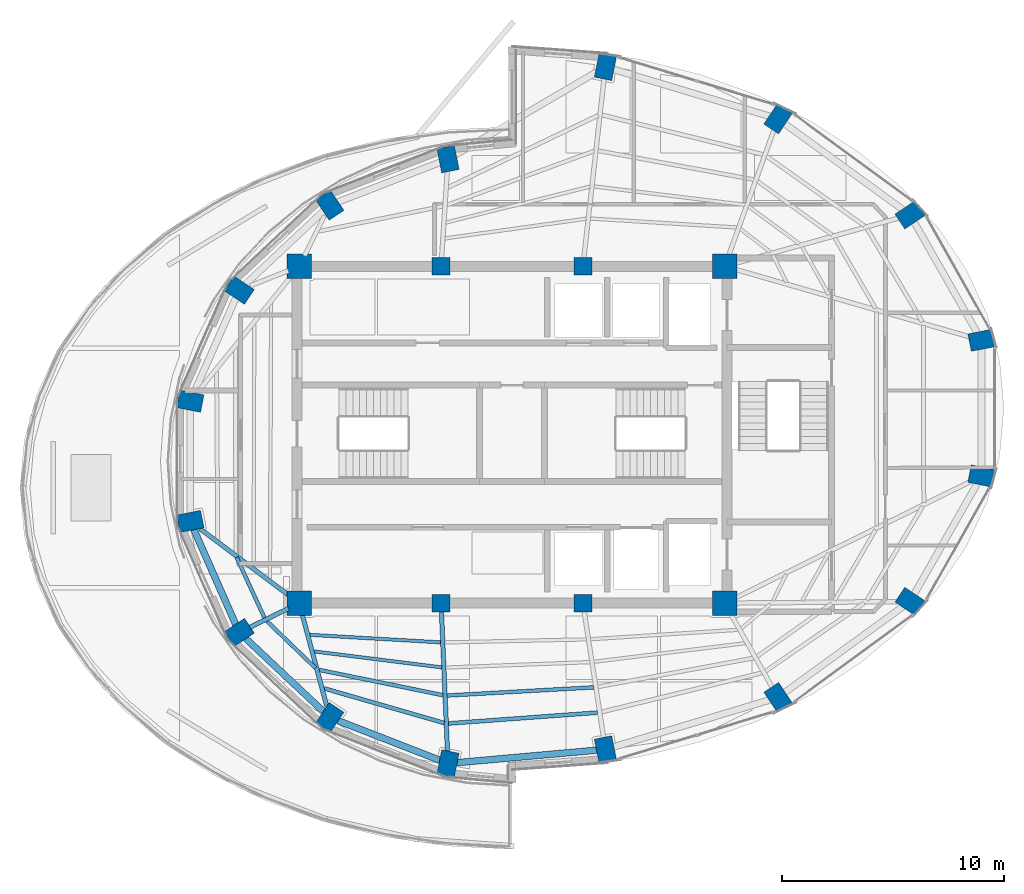
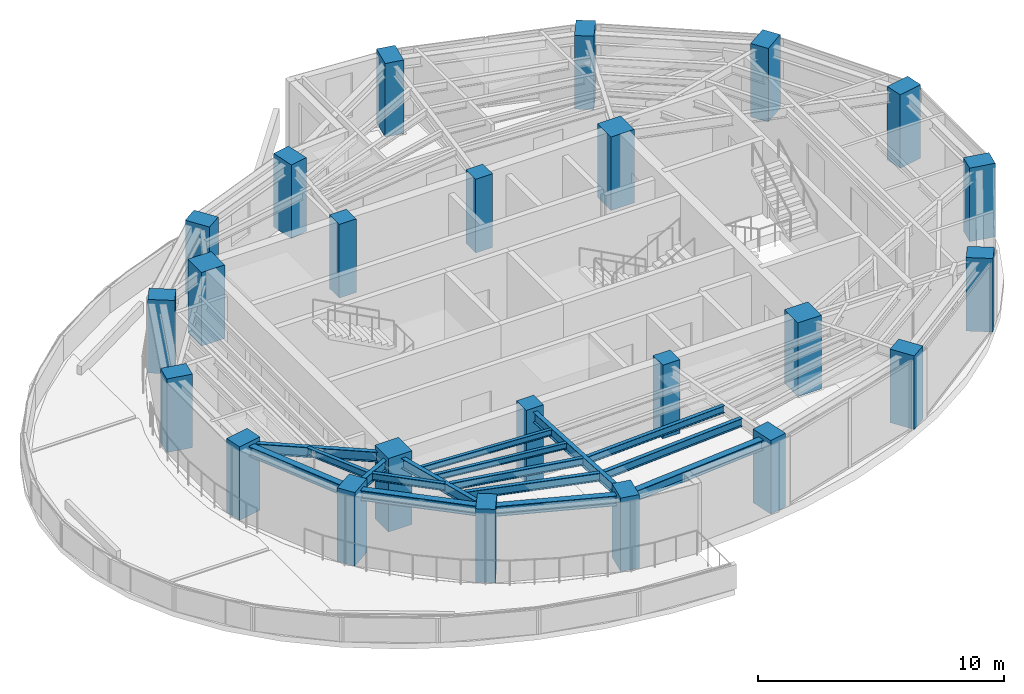
# One storey, part 1 of 15: 24 columns, 16 beams.
"""IFC4 building model written with IfcOpenShell, lengths in metres."""

from ifc_helpers import new_model, si_unit, direction, frame, origin, origin_2d, place, context, subcontext, project, spatial, rectangle, i_section, extrude, material, material_profile, profile_set, type_object, element, save


model = new_model("IFC4")

# Units and contexts
model_context = context("Model", 3, precision=1e-05, world=origin(), true_north=direction((0.0, 1.0)))
body_context = subcontext(model_context, "Body", "Model", "MODEL_VIEW")
ifc_project = project(units=[si_unit("LENGTHUNIT", "METRE"), si_unit("AREAUNIT", "SQUARE_METRE"), si_unit("VOLUMEUNIT", "CUBIC_METRE"), si_unit("PLANEANGLEUNIT", "RADIAN"), si_unit("MASSUNIT", "GRAM", prefix="KILO")], contexts=[model_context])

# Site, building, storey
site_placement = place(None, origin())
site = spatial("IfcSite", under=ifc_project, at=site_placement, CompositionType="ELEMENT")
building_placement = place(site_placement, origin())
building = spatial("IfcBuilding", under=site, at=building_placement, Name="Lazwardi Medical Tower", CompositionType="ELEMENT")
storey_placement = place(building_placement, frame((0.0, 0.0, 269.615966796875)))
storey = spatial("IfcBuildingStorey", under=building, at=storey_placement, Name="L70", CompositionType="ELEMENT", Elevation=269.615966796875)

# Columns
ifc_material_1 = material(Name="Concrete C80/95", Category="concrete")
ifc_material_profile_1 = material_profile(ifc_material_1, rectangle(XDim=1.10009765625, YDim=1.10009765625, at=origin_2d()), Name="RC 1100x1100")
ifc_profile_set_1 = profile_set([ifc_material_profile_1], Name="Concrete C80/95")
column_type_1 = type_object("IfcColumnType", Name="COL-CC-L", PredefinedType="COLUMN", material=ifc_profile_set_1)
for number, where, z_axis, x_axis, name in (
    (1, (26.39990234375, 20.39990234375, 0.0), (0.0, 0.0, 1.0), (1.0, 0.0, 0.0), "Core column CC-01 CC1 L70"),
    (2, (45.60009765625, 20.39990234375, 0.0), (0.0, 0.0, 1.0), (1.0, 0.0, 0.0), "Core column CC-01 CC4 L70"),
    (3, (45.60009765625, 35.60009765625, 0.0), (0.0, 0.0, 1.0), (1.0, 0.0, 0.0), "Core column CC-01 CC5 L70"),
    (4, (26.39990234375, 35.60009765625, 0.0), (0.0, 0.0, 1.0), (1.0, 0.0, 0.0), "Core column CC-01 CC8 L70"),
):
    element("IfcColumn", number, at=place(storey_placement, frame(where, z_axis=z_axis, x_axis=x_axis)), inside=storey, type_object=column_type_1, Name=name, PredefinedType="COLUMN", context=body_context, shape_type="SweptSolid", body=[
        extrude(rectangle(XDim=1.10009765625, YDim=1.10009765625, at=origin_2d()), origin(), (0.0, 0.0, 1.0), 3.64794921875),
    ])
ifc_material_2 = material(Name="Concrete C60/75", Category="concrete")
ifc_material_profile_2 = material_profile(ifc_material_2, rectangle(XDim=0.800048828125, YDim=0.800048828125, at=origin_2d()), Name="RC 800x800")
ifc_profile_set_2 = profile_set([ifc_material_profile_2], Name="Concrete C60/75")
column_type_2 = type_object("IfcColumnType", Name="COL-CC-U", PredefinedType="COLUMN", material=ifc_profile_set_2)
for number, where, z_axis, x_axis, name in (
    (5, (32.800048828125, 20.39990234375, 0.0), (0.0, 0.0, 1.0), (1.0, 0.0, 0.0), "Core column CC-03 CC2 L70"),
    (6, (39.199951171875, 20.39990234375, 0.0), (0.0, 0.0, 1.0), (1.0, 0.0, 0.0), "Core column CC-03 CC3 L70"),
    (7, (39.199951171875, 35.60009765625, 0.0), (0.0, 0.0, 1.0), (1.0, 0.0, 0.0), "Core column CC-03 CC6 L70"),
    (8, (32.800048828125, 35.60009765625, 0.0), (0.0, 0.0, 1.0), (1.0, 0.0, 0.0), "Core column CC-03 CC7 L70"),
):
    element("IfcColumn", number, at=place(storey_placement, frame(where, z_axis=z_axis, x_axis=x_axis)), inside=storey, type_object=column_type_2, Name=name, PredefinedType="COLUMN", context=body_context, shape_type="SweptSolid", body=[
        extrude(rectangle(XDim=0.800048828125, YDim=0.800048828125, at=origin_2d()), origin(), (0.0, 0.0, 1.0), 3.64794921875),
    ])
ifc_material_profile_3 = material_profile(ifc_material_2, rectangle(XDim=1.10009765625, YDim=0.800048828125, at=origin_2d()), Name="CFT-RECT 1100x800")
ifc_profile_set_3 = profile_set([ifc_material_profile_3], Name="Concrete C60/75")
column_type_3 = type_object("IfcColumnType", Name="COL-MC-Z4", PredefinedType="COLUMN", material=ifc_profile_set_3)
for number, where, z_axis, x_axis, name in (
    (9, (40.214111328125, 13.8017578125, 0.0), (0.0, 0.0, 1.0), (0.195090322016, -0.980785280403, 0.0), "Mega column MC-06 M01 L70"),
    (10, (48.000244140625, 16.14599609375, 0.0), (0.0, 0.0, 1.0), (0.55557023302, -0.831469612303, 0.0), "Mega column MC-06 M02 L70"),
    (11, (53.959716796875, 20.4775390625, 0.0), (0.0, 0.0, 1.0), (0.831469612303, -0.55557023302, 0.0), "Mega column MC-06 M03 L70"),
    (12, (57.18505859375, 26.13720703125, 0.0), (0.0, 0.0, 1.0), (0.980785280403, -0.195090322016, 0.0), "Mega column MC-06 M04 L70"),
    (13, (57.18505859375, 32.262939453125, 0.0), (0.0, 0.0, 1.0), (0.980785280403, 0.195090322016, 0.0), "Mega column MC-06 M05 L70"),
    (14, (53.959716796875, 37.922607421875, 0.0), (0.0, 0.0, 1.0), (0.831469612303, 0.55557023302, 0.0), "Mega column MC-06 M06 L70"),
    (15, (48.000244140625, 42.254150390625, 0.0), (0.0, 0.0, 1.0), (0.55557023302, 0.831469612303, 0.0), "Mega column MC-06 M07 L70"),
    (16, (40.214111328125, 44.598388671875, 0.0), (0.0, 0.0, 1.0), (0.195090322016, 0.980785280403, 0.0), "Mega column MC-06 M08 L70"),
    (17, (33.11279296875, 40.432861328125, 0.0), (0.0, 0.0, 1.0), (-0.195090322016, 0.980785280403, 0.0), "Mega column MC-06 M09 L70"),
    (18, (27.777587890625, 38.357421875, 0.0), (0.0, 0.0, 1.0), (-0.55557023302, 0.831469612303, 0.0), "Mega column MC-06 M10 L70"),
    (19, (23.694091796875, 34.5224609375, 0.0), (0.0, 0.0, 1.0), (-0.831469612303, 0.55557023302, 0.0), "Mega column MC-06 M11 L70"),
    (20, (21.484375, 29.51171875, 0.0), (0.0, 0.0, 1.0), (-0.980785280403, 0.195090322016, 0.0), "Mega column MC-06 M12 L70"),
    (21, (21.484375, 24.088134765625, 0.0), (0.0, 0.0, 1.0), (-0.980785280403, -0.195090322016, 0.0), "Mega column MC-06 M13 L70"),
    (22, (23.694091796875, 19.07763671875, 0.0), (0.0, 0.0, 1.0), (-0.831469612303, -0.55557023302, 0.0), "Mega column MC-06 M14 L70"),
    (23, (27.777587890625, 15.24267578125, 0.0), (0.0, 0.0, 1.0), (-0.55557023302, -0.831469612303, 0.0), "Mega column MC-06 M15 L70"),
    (24, (33.11279296875, 13.1669921875, 0.0), (0.0, 0.0, 1.0), (-0.195090322016, -0.980785280403, 0.0), "Mega column MC-06 M16 L70"),
):
    element("IfcColumn", number, at=place(storey_placement, frame(where, z_axis=z_axis, x_axis=x_axis)), inside=storey, type_object=column_type_3, Name=name, PredefinedType="COLUMN", context=body_context, shape_type="SweptSolid", body=[
        extrude(rectangle(XDim=1.10009765625, YDim=0.800048828125, at=origin_2d()), origin(), (0.0, 0.0, 1.0), 3.64794921875),
    ])

# Beams
ifc_material_3 = material(Name="Steel S355", Category="steel")
ifc_material_profile_4 = material_profile(ifc_material_3, i_section(OverallWidth=0.300048828125, OverallDepth=0.5, WebThickness=0.014404296875, FlangeThickness=0.028076171875, at=origin_2d()), Name="HEB 500")
ifc_profile_set_4 = profile_set([ifc_material_profile_4], Name="Steel S355")
beam_type_1 = type_object("IfcBeamType", Name="BM-RB-Z4", PredefinedType="BEAM", material=ifc_profile_set_4)
beam_1_placement = place(storey_placement, frame((21.641845703125, 23.7314453125, 3.197998046875), z_axis=(0.403503258239, -0.914978207713, 0.0), x_axis=(0.914978207713, 0.403503258239, 0.0)))
element("IfcBeam", 25, at=beam_1_placement, inside=storey, type_object=beam_type_1, Name="Ring beam RB-05 B13 L70", PredefinedType="BEAM", context=body_context, shape_type="SweptSolid", body=[
    extrude(i_section(OverallWidth=0.300048828125, OverallDepth=0.5, WebThickness=0.014404296875, FlangeThickness=0.028076171875, at=origin_2d()), origin(), (0.0, 0.0, 1.0), 4.696533203125),
])
beam_2_placement = place(storey_placement, frame((23.978515625, 18.810546875, 3.197998046875), z_axis=(0.728935349177, -0.684582541934, 0.0), x_axis=(0.684582541934, 0.728935349177, 0.0)))
element("IfcBeam", 26, at=beam_2_placement, inside=storey, type_object=beam_type_1, Name="Ring beam RB-05 B14 L70", PredefinedType="BEAM", context=body_context, shape_type="SweptSolid", body=[
    extrude(i_section(OverallWidth=0.300048828125, OverallDepth=0.5, WebThickness=0.014404296875, FlangeThickness=0.028076171875, at=origin_2d()), origin(), (0.0, 0.0, 1.0), 4.822021484375),
])
beam_3_placement = place(storey_placement, frame((28.14111328125, 15.101318359375, 3.197998046875), z_axis=(0.931959260109, -0.362563011761, 0.0), x_axis=(0.362563011761, 0.931959260109, 0.0)))
element("IfcBeam", 27, at=beam_3_placement, inside=storey, type_object=beam_type_1, Name="Ring beam RB-05 B15 L70", PredefinedType="BEAM", context=body_context, shape_type="SweptSolid", body=[
    extrude(i_section(OverallWidth=0.300048828125, OverallDepth=0.5, WebThickness=0.014404296875, FlangeThickness=0.028076171875, at=origin_2d()), origin(), (0.0, 0.0, 1.0), 4.944580078125),
])
beam_4_placement = place(storey_placement, frame((33.501220703125, 13.201904296875, 3.197998046875), z_axis=(0.996030403479, 0.089013680669, 0.0), x_axis=(-0.089013680669, 0.996030403479, 0.0)))
element("IfcBeam", 28, at=beam_4_placement, inside=storey, type_object=beam_type_1, Name="Ring beam RB-05 B16 L70", PredefinedType="BEAM", context=body_context, shape_type="SweptSolid", body=[
    extrude(i_section(OverallWidth=0.300048828125, OverallDepth=0.5, WebThickness=0.014404296875, FlangeThickness=0.028076171875, at=origin_2d()), origin(), (0.0, 0.0, 1.0), 6.349365234375),
])
ifc_material_profile_5 = material_profile(ifc_material_3, i_section(OverallWidth=0.199951171875, OverallDepth=0.5, WebThickness=0.01025390625, FlangeThickness=0.01611328125, at=origin_2d()), Name="IPE 500")
ifc_profile_set_5 = profile_set([ifc_material_profile_5], Name="Steel S355")
beam_type_2 = type_object("IfcBeamType", Name="BM-RG-W3", PredefinedType="BEAM", material=ifc_profile_set_5)
beam_5_placement = place(storey_placement, frame((21.912353515625, 23.76708984375, 3.197998046875), z_axis=(0.79990185954, -0.600130831657, 0.0), x_axis=(0.600130831657, 0.79990185954, 0.0)))
element("IfcBeam", 29, at=beam_5_placement, inside=storey, type_object=beam_type_2, Name="Radial girder RG-04 R13 L70", PredefinedType="BEAM", context=body_context, shape_type="SweptSolid", body=[
    extrude(i_section(OverallWidth=0.199951171875, OverallDepth=0.5, WebThickness=0.01025390625, FlangeThickness=0.01611328125, at=origin_2d()), origin(), (0.0, 0.0, 1.0), 5.075439453125),
])
beam_6_placement = place(storey_placement, frame((24.1748046875, 19.3125, 3.197998046875), z_axis=(0.898439482653, 0.43909736507, 0.0), x_axis=(-0.43909736507, 0.898439482653, 0.0)))
element("IfcBeam", 30, at=beam_6_placement, inside=storey, type_object=beam_type_2, Name="Radial girder RG-04 R14 L70", PredefinedType="BEAM", context=body_context, shape_type="SweptSolid", body=[
    extrude(i_section(OverallWidth=0.199951171875, OverallDepth=0.5, WebThickness=0.01025390625, FlangeThickness=0.01611328125, at=origin_2d()), origin(), (0.0, 0.0, 1.0), 1.941650390625),
])
beam_7_placement = place(storey_placement, frame((27.639404296875, 15.759521484375, 3.197998046875), z_axis=(-0.25803645922, 0.966135179834, 0.0), x_axis=(-0.966135179834, -0.25803645922, 0.0)))
element("IfcBeam", 31, at=beam_7_placement, inside=storey, type_object=beam_type_2, Name="Radial girder RG-04 R15 L70", PredefinedType="BEAM", context=body_context, shape_type="SweptSolid", body=[
    extrude(i_section(OverallWidth=0.199951171875, OverallDepth=0.5, WebThickness=0.01025390625, FlangeThickness=0.01611328125, at=origin_2d()), origin(), (0.0, 0.0, 1.0), 4.26806640625),
])
beam_8_placement = place(storey_placement, frame((33.089599609375, 13.70166015625, 3.197998046875), z_axis=(-0.043190778794, 0.999066842923, 0.0), x_axis=(-0.999066842923, -0.043190778794, 0.0)))
element("IfcBeam", 32, at=beam_8_placement, inside=storey, type_object=beam_type_2, Name="Radial girder RG-04 R16 L70", PredefinedType="BEAM", context=body_context, shape_type="SweptSolid", body=[
    extrude(i_section(OverallWidth=0.199951171875, OverallDepth=0.5, WebThickness=0.01025390625, FlangeThickness=0.01611328125, at=origin_2d()), origin(), (0.0, 0.0, 1.0), 6.319580078125),
])
ifc_material_profile_6 = material_profile(ifc_material_3, i_section(OverallWidth=0.179931640625, OverallDepth=0.39990234375, WebThickness=0.008544921875, FlangeThickness=0.013427734375, at=origin_2d()), Name="IPE 400")
ifc_profile_set_6 = profile_set([ifc_material_profile_6], Name="Steel S355")
beam_type_3 = type_object("IfcBeamType", Name="BM-SJ-01", PredefinedType="JOIST", material=ifc_profile_set_6)
beam_9_placement = place(storey_placement, frame((27.510498046875, 16.557861328125, 3.248046875), z_axis=(0.960828455467, -0.277143787887, 0.0), x_axis=(0.277143787887, 0.960828455467, 0.0)))
element("IfcBeam", 33, at=beam_9_placement, inside=storey, type_object=beam_type_3, Name="Secondary joist SJ-01 R1 B15 L70", PredefinedType="JOIST", context=body_context, shape_type="SweptSolid", body=[
    extrude(i_section(OverallWidth=0.179931640625, OverallDepth=0.39990234375, WebThickness=0.008544921875, FlangeThickness=0.013427734375, at=origin_2d()), origin(), (0.0, 0.0, 1.0), 5.654541015625),
])
beam_10_placement = place(storey_placement, frame((33.129638671875, 14.97119140625, 3.248046875), z_axis=(0.997360105889, 0.072614180298, 0.0), x_axis=(-0.072614180298, 0.997360105889, 0.0)))
element("IfcBeam", 34, at=beam_10_placement, inside=storey, type_object=beam_type_3, Name="Secondary joist SJ-01 R1 B16 L70", PredefinedType="JOIST", context=body_context, shape_type="SweptSolid", body=[
    extrude(i_section(OverallWidth=0.179931640625, OverallDepth=0.39990234375, WebThickness=0.008544921875, FlangeThickness=0.013427734375, at=origin_2d()), origin(), (0.0, 0.0, 1.0), 6.751220703125),
])
ifc_material_profile_7 = material_profile(ifc_material_3, i_section(OverallWidth=0.169921875, OverallDepth=0.360107421875, WebThickness=0.008056640625, FlangeThickness=0.0126953125, at=origin_2d()), Name="IPE 360")
ifc_profile_set_7 = profile_set([ifc_material_profile_7], Name="Steel S355")
beam_type_4 = type_object("IfcBeamType", Name="BM-SJ-02", PredefinedType="JOIST", material=ifc_profile_set_7)
beam_11_placement = place(storey_placement, frame((23.575927734375, 22.46240234375, 3.26806640625), z_axis=(0.419120130681, -0.907930788143, 0.0), x_axis=(0.907930788143, 0.419120130681, 0.0)))
element("IfcBeam", 35, at=beam_11_placement, inside=storey, type_object=beam_type_4, Name="Secondary joist SJ-02 R2 B13 L70", PredefinedType="JOIST", context=body_context, shape_type="SweptSolid", body=[
    extrude(i_section(OverallWidth=0.169921875, OverallDepth=0.360107421875, WebThickness=0.008056640625, FlangeThickness=0.0126953125, at=origin_2d()), origin(), (0.0, 0.0, 1.0), 2.998779296875),
])
beam_12_placement = place(storey_placement, frame((24.94091796875, 19.587646484375, 3.26806640625), z_axis=(0.719630919159, -0.694356781626, 0.0), x_axis=(0.694356781626, 0.719630919159, 0.0)))
element("IfcBeam", 36, at=beam_12_placement, inside=storey, type_object=beam_type_4, Name="Secondary joist SJ-02 R2 B14 L70", PredefinedType="JOIST", context=body_context, shape_type="SweptSolid", body=[
    extrude(i_section(OverallWidth=0.169921875, OverallDepth=0.360107421875, WebThickness=0.008056640625, FlangeThickness=0.0126953125, at=origin_2d()), origin(), (0.0, 0.0, 1.0), 3.042724609375),
])
beam_13_placement = place(storey_placement, frame((27.2919921875, 17.389892578125, 3.26806640625), z_axis=(0.979738197465, -0.200282461608, 0.0), x_axis=(0.200282461608, 0.979738197465, 0.0)))
element("IfcBeam", 37, at=beam_13_placement, inside=storey, type_object=beam_type_4, Name="Secondary joist SJ-02 R2 B15 L70", PredefinedType="JOIST", context=body_context, shape_type="SweptSolid", body=[
    extrude(i_section(OverallWidth=0.169921875, OverallDepth=0.360107421875, WebThickness=0.008056640625, FlangeThickness=0.0126953125, at=origin_2d()), origin(), (0.0, 0.0, 1.0), 5.7109375),
])
beam_14_placement = place(storey_placement, frame((33.0751953125, 16.232421875, 3.26806640625), z_axis=(0.998451835098, 0.055623133576, 0.0), x_axis=(-0.055623133576, 0.998451835098, 0.0)))
element("IfcBeam", 38, at=beam_14_placement, inside=storey, type_object=beam_type_4, Name="Secondary joist SJ-02 R2 B16 L70", PredefinedType="JOIST", context=body_context, shape_type="SweptSolid", body=[
    extrude(i_section(OverallWidth=0.169921875, OverallDepth=0.360107421875, WebThickness=0.008056640625, FlangeThickness=0.0126953125, at=origin_2d()), origin(), (0.0, 0.0, 1.0), 6.623291015625),
])
ifc_material_profile_8 = material_profile(ifc_material_3, i_section(OverallWidth=0.14990234375, OverallDepth=0.300048828125, WebThickness=0.007080078125, FlangeThickness=0.0107421875, at=origin_2d()), Name="IPE 300")
ifc_profile_set_8 = profile_set([ifc_material_profile_8], Name="Steel S355")
beam_type_5 = type_object("IfcBeamType", Name="BM-SJ-03", PredefinedType="JOIST", material=ifc_profile_set_8)
beam_15_placement = place(storey_placement, frame((27.072998046875, 18.221923828125, 3.298095703125), z_axis=(0.992269460733, -0.124102043887, 0.0), x_axis=(0.124102043887, 0.992269460733, 0.0)))
element("IfcBeam", 39, at=beam_15_placement, inside=storey, type_object=beam_type_5, Name="Secondary joist SJ-03 R3 B15 L70", PredefinedType="JOIST", context=body_context, shape_type="SweptSolid", body=[
    extrude(i_section(OverallWidth=0.14990234375, OverallDepth=0.300048828125, WebThickness=0.007080078125, FlangeThickness=0.0107421875, at=origin_2d()), origin(), (0.0, 0.0, 1.0), 5.803466796875),
])
beam_16_placement = place(storey_placement, frame((26.875244140625, 18.970458984375, 3.298095703125), z_axis=(0.998360639354, -0.057236647244, 0.0), x_axis=(0.057236647244, 0.998360639354, 0.0)))
element("IfcBeam", 40, at=beam_16_placement, inside=storey, type_object=beam_type_5, Name="Secondary joist SJ-03 R4 B15 L70", PredefinedType="JOIST", context=body_context, shape_type="SweptSolid", body=[
    extrude(i_section(OverallWidth=0.14990234375, OverallDepth=0.300048828125, WebThickness=0.007080078125, FlangeThickness=0.0107421875, at=origin_2d()), origin(), (0.0, 0.0, 1.0), 5.916259765625),
])

save(model, "model.ifc")
